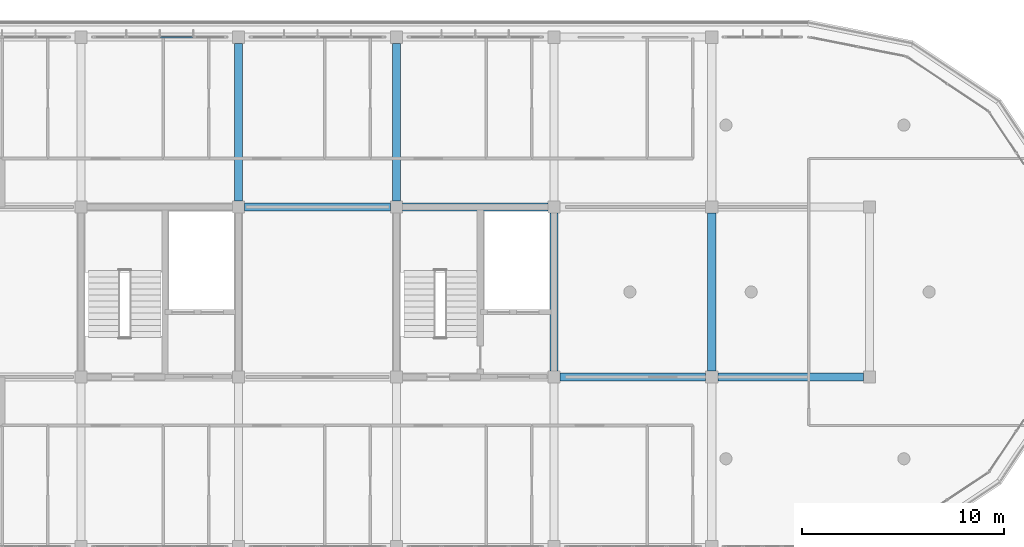
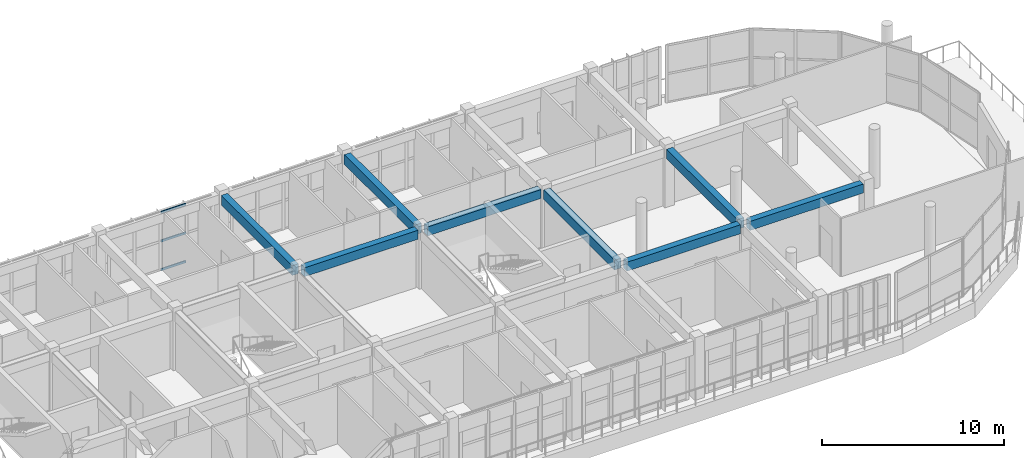
# One storey, part 25 of 56: 8 beams, 3 members, 1 element without a shape of its own.
"""IFC4 building model written with IfcOpenShell, lengths in metres."""

from ifc_helpers import new_model, si_unit, direction, frame, origin, origin_2d, place, context, subcontext, project, spatial, rectangle, hollow_rectangle, extrude, material, layer, layer_set, material_profile, profile_set, type_object, element, aggregate, save


model = new_model("IFC4")

# Units and contexts
model_context = context("Model", 3, precision=1e-05, world=origin(), true_north=direction((0.0, 1.0)))
body_context = subcontext(model_context, "Body", "Model", "MODEL_VIEW")
ifc_project = project(units=[si_unit("LENGTHUNIT", "METRE"), si_unit("AREAUNIT", "SQUARE_METRE"), si_unit("VOLUMEUNIT", "CUBIC_METRE"), si_unit("PLANEANGLEUNIT", "RADIAN"), si_unit("MASSUNIT", "GRAM", prefix="KILO")], contexts=[model_context])

# Site, building, storey
site_placement = place(None, origin())
site = spatial("IfcSite", under=ifc_project, at=site_placement, CompositionType="ELEMENT")
building_placement = place(site_placement, origin())
building = spatial("IfcBuilding", under=site, at=building_placement, Name="Zizhar Promenade General Hospital", CompositionType="ELEMENT")
storey_placement = place(building_placement, frame((0.0, 0.0, 26.39990234375)))
storey = spatial("IfcBuildingStorey", under=building, at=storey_placement, Name="L06", CompositionType="ELEMENT", Elevation=26.39990234375)

# Beams
ifc_material_1 = material(Name="Concrete C35/45", Category="concrete")
ifc_material_profile_1 = material_profile(ifc_material_1, rectangle(XDim=0.39990234375, YDim=0.60009765625, at=origin_2d()))
ifc_profile_set_1 = profile_set([ifc_material_profile_1], Name="Concrete C35/45")
beam_type_1 = type_object("IfcBeamType", Name="BM-RC-400x600", PredefinedType="JOIST", material=ifc_profile_set_1)
beam_1_placement = place(storey_placement, frame((86.10009765625, 16.800048828125, 3.610107421875), z_axis=(1.0, 0.0, 0.0), x_axis=(0.0, 1.0, 0.0)))
element("IfcBeam", 1, at=beam_1_placement, inside=storey, type_object=beam_type_1, Name="Grid Beam X L06 (11-2)", PredefinedType="JOIST", context=body_context, shape_type="SweptSolid", body=[
    extrude(rectangle(XDim=0.39990234375, YDim=0.60009765625, at=origin_2d()), origin(), (0.0, 0.0, 1.0), 7.199951171875),
])
beam_2_placement = place(storey_placement, frame((93.89990234375, 16.800048828125, 3.610107421875), z_axis=(1.0, 0.0, 0.0), x_axis=(0.0, 1.0, 0.0)))
element("IfcBeam", 2, at=beam_2_placement, inside=storey, type_object=beam_type_1, Name="Grid Beam X L06 (12-2)", PredefinedType="JOIST", context=body_context, shape_type="SweptSolid", body=[
    extrude(rectangle(XDim=0.39990234375, YDim=0.60009765625, at=origin_2d()), origin(), (0.0, 0.0, 1.0), 7.2001953125),
])
for number, where, z_axis, x_axis, name in (
    (3, (101.699951171875, 8.39990234375, 3.610107421875), (1.0, 0.0, 0.0), (0.0, 1.0, 0.0), "Grid Beam X L06 (13-1)"),
    (4, (109.5, 8.39990234375, 3.610107421875), (1.0, 0.0, 0.0), (0.0, 1.0, 0.0), "Grid Beam X L06 (14-1)"),
):
    element("IfcBeam", number, at=place(storey_placement, frame(where, z_axis=z_axis, x_axis=x_axis)), inside=storey, type_object=beam_type_1, Name=name, PredefinedType="JOIST", context=body_context, shape_type="SweptSolid", body=[
        extrude(rectangle(XDim=0.39990234375, YDim=0.60009765625, at=origin_2d()), origin(), (0.0, 0.0, 1.0), 7.199951171875),
    ])
ifc_material_2 = material(Name="Concrete C35/45", Category="concrete")
ifc_material_profile_2 = material_profile(ifc_material_2, rectangle(XDim=0.39990234375, YDim=0.64990234375, at=origin_2d()))
ifc_profile_set_2 = profile_set([ifc_material_profile_2], Name="Concrete C35/45")
beam_type_2 = type_object("IfcBeamType", Name="BM-RC-400x650", PredefinedType="BEAM", material=ifc_profile_set_2)
for number, where, z_axis, x_axis, name in (
    (5, (85.800048828125, 17.10009765625, 3.585205078125), (0.0, 1.0, 0.0), (-1.0, 0.0, 0.0), "Grid Beam Y L06 (11-2)"),
    (6, (93.60009765625, 17.10009765625, 3.585205078125), (0.0, 1.0, 0.0), (-1.0, 0.0, 0.0), "Grid Beam Y L06 (12-2)"),
):
    element("IfcBeam", number, at=place(storey_placement, frame(where, z_axis=z_axis, x_axis=x_axis)), inside=storey, type_object=beam_type_2, Name=name, PredefinedType="BEAM", context=body_context, shape_type="SweptSolid", body=[
        extrude(rectangle(XDim=0.39990234375, YDim=0.64990234375, at=origin_2d()), origin(), (0.0, 0.0, 1.0), 7.7998046875),
    ])
for number, where, z_axis, x_axis, name in (
    (7, (101.39990234375, 8.699951171875, 3.585205078125), (0.0, 1.0, 0.0), (-1.0, 0.0, 0.0), "Grid Beam Y L06 (13-1)"),
    (8, (109.199951171875, 8.699951171875, 3.585205078125), (0.0, 1.0, 0.0), (-1.0, 0.0, 0.0), "Grid Beam Y L06 (14-1)"),
):
    element("IfcBeam", number, at=place(storey_placement, frame(where, z_axis=z_axis, x_axis=x_axis)), inside=storey, type_object=beam_type_2, Name=name, PredefinedType="BEAM", context=body_context, shape_type="SweptSolid", body=[
        extrude(rectangle(XDim=0.39990234375, YDim=0.64990234375, at=origin_2d()), origin(), (0.0, 0.0, 1.0), 7.800048828125),
    ])

# Curtain wall, members
ifc_material_3 = material(Name="Anodised aluminium 6063-T6 and low-E glass", Category="aluminium")
ifc_layer = layer(ifc_material_3, 0.159912109375)
ifc_layer_set = layer_set([ifc_layer], Name="Anodised aluminium 6063-T6 and low-E glass")
curtain_wall_type = type_object("IfcCurtainWallType", Name="CW-WARD-RIB", PredefinedType="NOTDEFINED", material=ifc_layer_set)
curtain_wall_placement = place(storey_placement, origin())
curtain_wall = element("IfcCurtainWall", 9, at=curtain_wall_placement, inside=storey, type_object=curtain_wall_type, Name="Ward Ribbon Curtain Wall L06-8-6", PredefinedType="NOTDEFINED")
ifc_material_4 = material(Name="Anodised aluminium 6063-T6", Category="aluminium")
ifc_material_profile_3 = material_profile(ifc_material_4, hollow_rectangle(XDim=0.06005859375, YDim=0.14990234375, WallThickness=0.00390625, at=origin_2d()))
ifc_profile_set_3 = profile_set([ifc_material_profile_3], Name="Anodised aluminium 6063-T6")
member_type = type_object("IfcMemberType", Name="CWT-ALU-150x60", PredefinedType="USERDEFINED", material=ifc_profile_set_3)
member_1_placement = place(storey_placement, frame((81.93994140625, 25.199951171875, 0.030029296875), z_axis=(1.0, 0.0, 0.0), x_axis=(0.0, 1.0, 0.0)))
member_1 = element("IfcMember", 10, at=member_1_placement, type_object=member_type, Name="CW-13 transom 3.1", ObjectType="TRANSOM", PredefinedType="USERDEFINED", context=body_context, shape_type="SweptSolid", body=[
    extrude(hollow_rectangle(XDim=0.06005859375, YDim=0.14990234375, WallThickness=0.00390625, at=origin_2d()), origin(), (0.0, 0.0, 1.0), 1.580078125),
])
member_2_placement = place(storey_placement, frame((81.93994140625, 25.199951171875, 1.9501953125), z_axis=(1.0, 0.0, 0.0), x_axis=(0.0, 1.0, 0.0)))
member_2 = element("IfcMember", 11, at=member_2_placement, type_object=member_type, Name="CW-13 transom 3.2", ObjectType="TRANSOM", PredefinedType="USERDEFINED", context=body_context, shape_type="SweptSolid", body=[
    extrude(hollow_rectangle(XDim=0.06005859375, YDim=0.14990234375, WallThickness=0.00390625, at=origin_2d()), origin(), (0.0, 0.0, 1.0), 1.580078125),
])
member_3_placement = place(storey_placement, frame((81.93994140625, 25.199951171875, 3.8701171875), z_axis=(1.0, 0.0, 0.0), x_axis=(0.0, 1.0, 0.0)))
member_3 = element("IfcMember", 12, at=member_3_placement, type_object=member_type, Name="CW-13 transom 3.3", ObjectType="TRANSOM", PredefinedType="USERDEFINED", context=body_context, shape_type="SweptSolid", body=[
    extrude(hollow_rectangle(XDim=0.06005859375, YDim=0.14990234375, WallThickness=0.00390625, at=origin_2d()), origin(), (0.0, 0.0, 1.0), 1.580078125),
])
aggregate(curtain_wall, [member_1, member_2, member_3])

save(model, "model.ifc")
